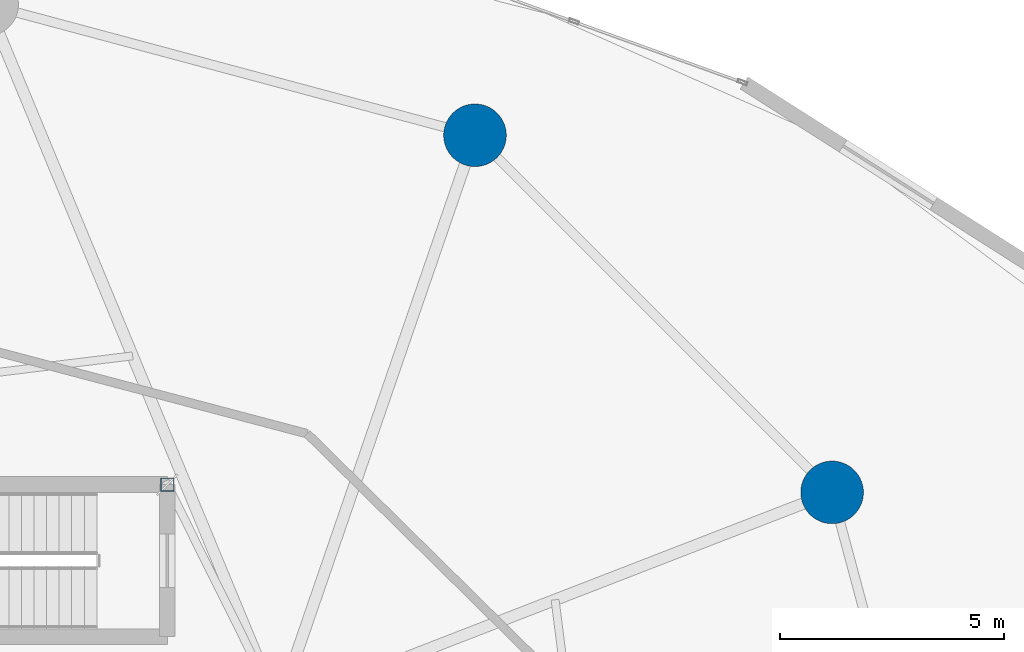
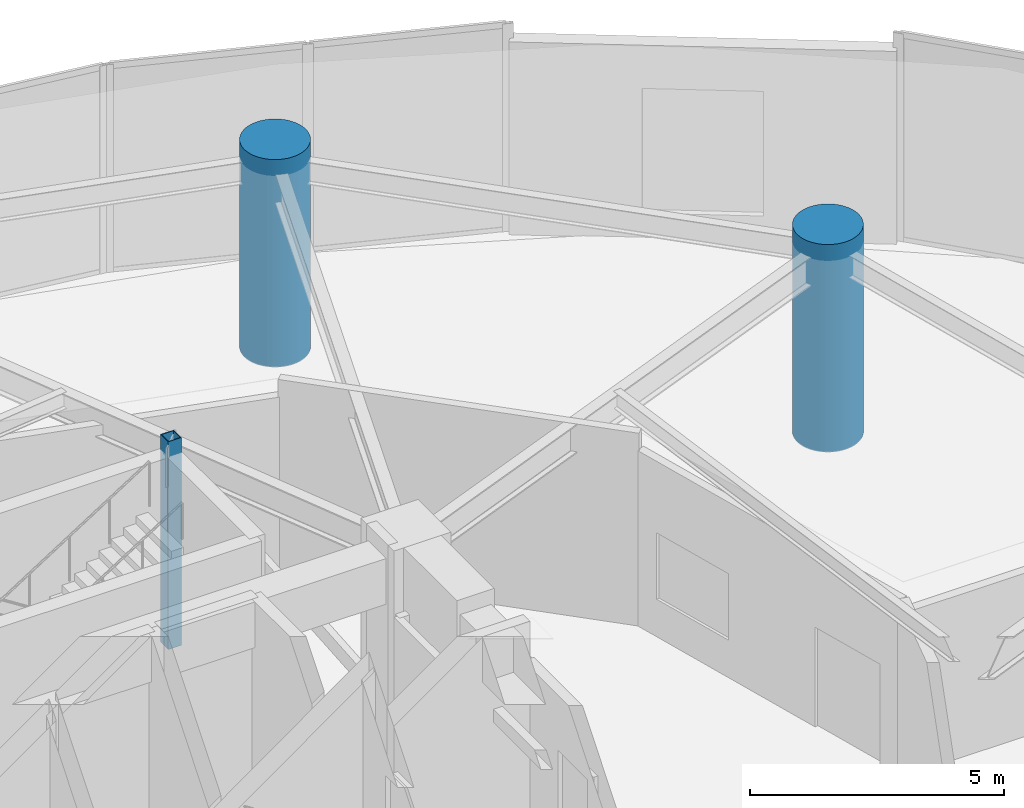
# One storey, part 3 of 31: 3 columns.
"""IFC4 building model written with IfcOpenShell, lengths in metres."""

from ifc_helpers import new_model, si_unit, direction, frame, origin, origin_2d, place, context, subcontext, project, spatial, hollow_rectangle, circle, extrude, material, material_profile, profile_set, type_object, element, save


model = new_model("IFC4")

# Units and contexts
model_context = context("Model", 3, precision=1e-05, world=origin(), true_north=direction((0.0, 1.0)))
body_context = subcontext(model_context, "Body", "Model", "MODEL_VIEW")
ifc_project = project(units=[si_unit("LENGTHUNIT", "METRE"), si_unit("AREAUNIT", "SQUARE_METRE"), si_unit("VOLUMEUNIT", "CUBIC_METRE"), si_unit("PLANEANGLEUNIT", "RADIAN"), si_unit("MASSUNIT", "GRAM", prefix="KILO")], contexts=[model_context])

# Site, building, storey
site_placement = place(None, origin())
site = spatial("IfcSite", under=ifc_project, at=site_placement, CompositionType="ELEMENT")
building_placement = place(site_placement, origin())
building = spatial("IfcBuilding", under=site, at=building_placement, Name="Solvirekh Grand Hotel", CompositionType="ELEMENT")
storey_placement = place(building_placement, frame((0.0, 0.0, 18.60009765625)))
storey = spatial("IfcBuildingStorey", under=building, at=storey_placement, Name="L03", CompositionType="ELEMENT", Elevation=18.60009765625)

# Columns
ifc_material_1 = material(Name="Concrete C60/75", Category="concrete")
ifc_material_profile_1 = material_profile(ifc_material_1, circle(Radius=0.699951171875, at=origin_2d()), Name="RC CIRC D1400")
ifc_profile_set_1 = profile_set([ifc_material_profile_1], Name="Concrete C60/75")
column_type_1 = type_object("IfcColumnType", Name="Col_Base_D1400", PredefinedType="COLUMN", material=ifc_profile_set_1)
for number, where, z_axis, x_axis, name in (
    (1, (18.87890625, 10.89990234375, 0.0), (0.0, 0.0, 1.0), (1.0, 0.0, 0.0), "L03 perimeter column P02"),
    (2, (10.89990234375, 18.87890625, 0.0), (0.0, 0.0, 1.0), (1.0, 0.0, 0.0), "L03 perimeter column P03"),
):
    element("IfcColumn", number, at=place(storey_placement, frame(where, z_axis=z_axis, x_axis=x_axis)), inside=storey, type_object=column_type_1, Name=name, PredefinedType="COLUMN", context=body_context, shape_type="SweptSolid", body=[
        extrude(circle(Radius=0.699951171875, at=origin_2d()), origin(), (0.0, 0.0, 1.0), 5.0),
    ])
ifc_material_2 = material(Name="Steel S355", Category="steel")
ifc_material_profile_2 = material_profile(ifc_material_2, hollow_rectangle(XDim=0.300048828125, YDim=0.300048828125, WallThickness=0.01611328125, at=origin_2d()), Name="SHS 300X300X16")
ifc_profile_set_2 = profile_set([ifc_material_profile_2], Name="Steel S355")
column_type_2 = type_object("IfcColumnType", Name="Col_Pod_SHS300", PredefinedType="COLUMN", material=ifc_profile_set_2)
column_placement = place(storey_placement, frame((4.02490234375, 11.074951171875, 0.0), z_axis=(0.0, 0.0, 1.0), x_axis=(1.0, 0.0, 0.0)))
element("IfcColumn", 3, at=column_placement, inside=storey, type_object=column_type_2, Name="L03 podium stair enclosure post 2", PredefinedType="COLUMN", context=body_context, shape_type="SweptSolid", body=[
    extrude(hollow_rectangle(XDim=0.300048828125, YDim=0.300048828125, WallThickness=0.01611328125, at=origin_2d()), origin(), (0.0, 0.0, 1.0), 5.0),
])

save(model, "model.ifc")
